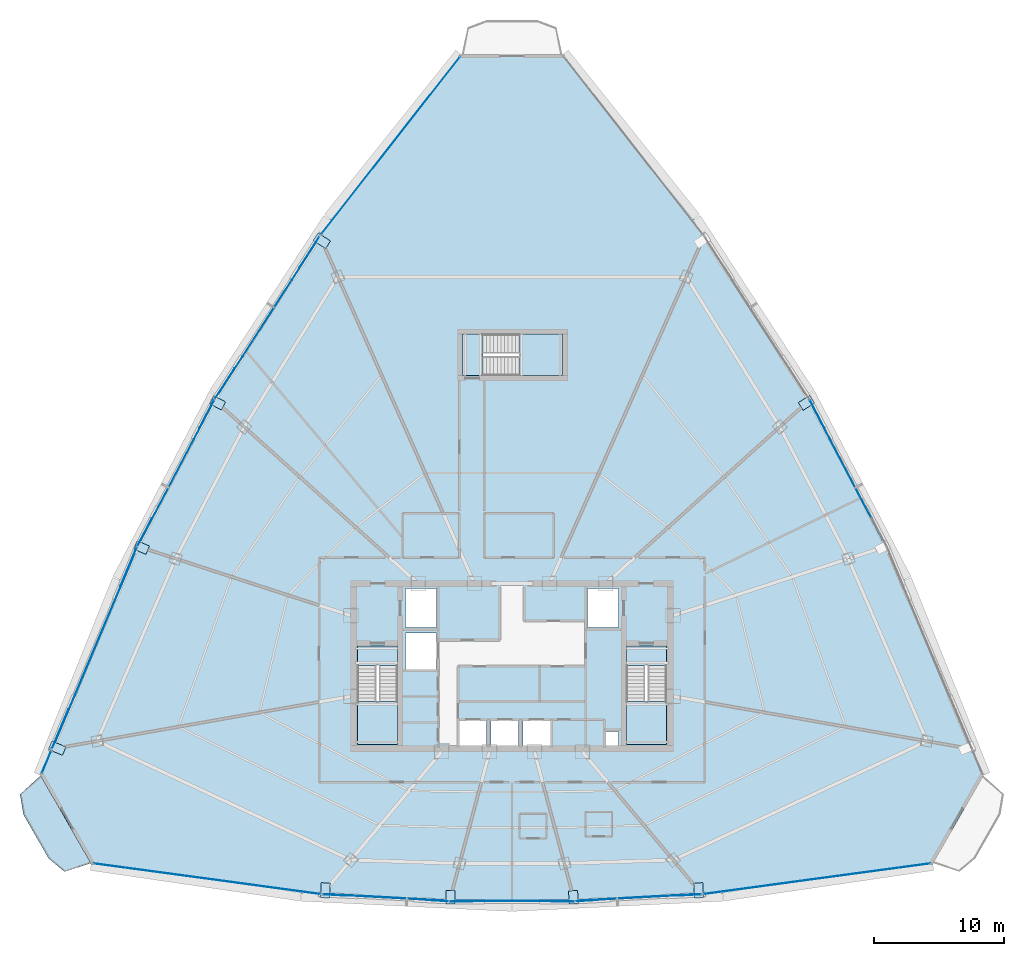
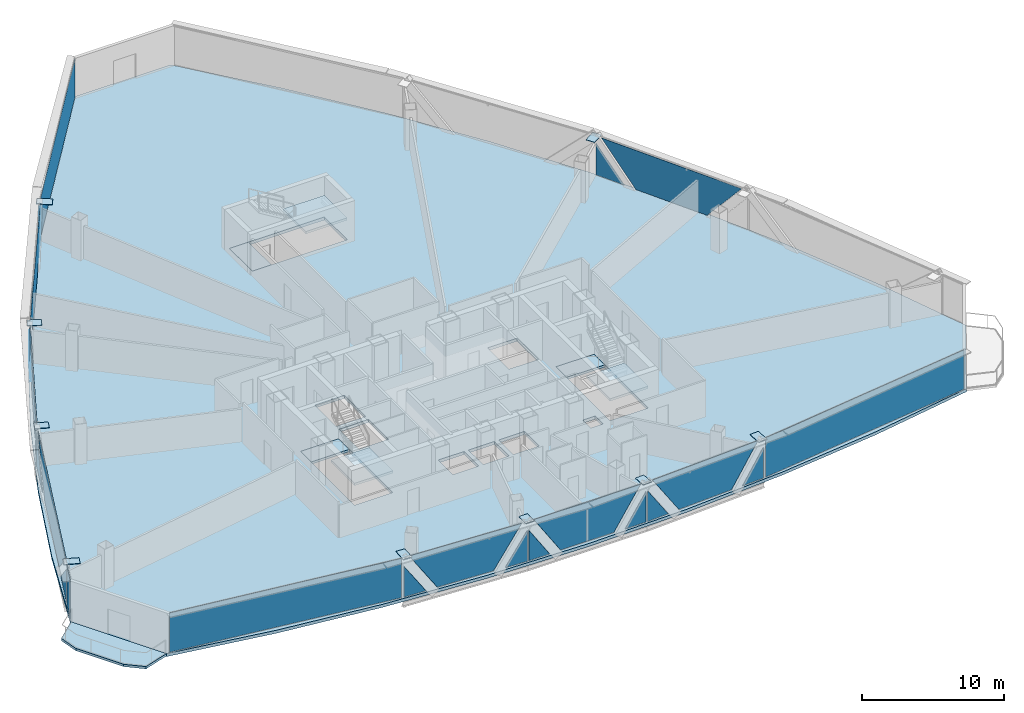
# One storey, part 26 of 35: 33 plates, 8 slabs, 14 elements without a shape of their own.
"""IFC4 building model written with IfcOpenShell, lengths in metres."""

from ifc_helpers import new_model, si_unit, direction, frame, origin, origin_2d, place, context, subcontext, project, spatial, polyline, rectangle, outline, extrude, source, transform, mapped, material, layer, layer_set, type_object, element, aggregate, save


model = new_model("IFC4")

# Units and contexts
model_context = context("Model", 3, precision=1e-05, world=origin(), true_north=direction((0.0, 1.0)))
body_context = subcontext(model_context, "Body", "Model", "MODEL_VIEW")
ifc_project = project(units=[si_unit("LENGTHUNIT", "METRE"), si_unit("AREAUNIT", "SQUARE_METRE"), si_unit("VOLUMEUNIT", "CUBIC_METRE"), si_unit("PLANEANGLEUNIT", "RADIAN"), si_unit("MASSUNIT", "GRAM", prefix="KILO"), si_unit("THERMODYNAMICTEMPERATUREUNIT", "KELVIN"), si_unit("POWERUNIT", "WATT")], contexts=[model_context])

# Site, building, storey
site_placement = place(None, origin())
site = spatial("IfcSite", under=ifc_project, at=site_placement, CompositionType="ELEMENT")
building_placement = place(site_placement, origin())
building = spatial("IfcBuilding", under=site, at=building_placement, Name="Yunzhuo Pagoda Commons", CompositionType="ELEMENT")
storey_placement = place(building_placement, frame((0.0, 0.0, 237.070068359375)))
storey = spatial("IfcBuildingStorey", under=building, at=storey_placement, Name="L59", CompositionType="ELEMENT", Elevation=237.070068359375)

# Curtain wall, plates
ifc_material_1 = material(Name="Anodized aluminium 6063-T6", Category="aluminium")
ifc_layer_1 = layer(ifc_material_1, 0.139892578125)
ifc_layer_set_1 = layer_set([ifc_layer_1], Name="Anodized aluminium 6063-T6")
curtain_wall_type = type_object("IfcCurtainWallType", Name="CW-HI High-Zone Ribbon Curtain Wall", PredefinedType="NOTDEFINED", material=ifc_layer_set_1)
curtain_wall_1_placement = place(storey_placement, origin())
curtain_wall_1 = element("IfcCurtainWall", 1, at=curtain_wall_1_placement, inside=storey, type_object=curtain_wall_type, Name="L59 curtain wall CW-L59-F1B2", PredefinedType="NOTDEFINED")
ifc_material_2 = material(Name="Tempered low-e double glazing", Category="glass")
ifc_layer_2 = layer(ifc_material_2, 0.02587890625)
ifc_layer_set_2 = layer_set([ifc_layer_2], Name="Tempered low-e double glazing")
plate_type_1 = type_object("IfcPlateType", Name="CW-HI-P Low-E Double Glazing 26", PredefinedType="CURTAIN_PANEL", material=ifc_layer_set_2)
plate_1_placement = place(storey_placement, frame((34.30322265625, 16.236328125, 1.371337890625), z_axis=(-0.054981193813, -0.998487390169, 0.0), x_axis=(0.998487390169, -0.054981193813, 0.0)))
plate_1 = element("IfcPlate", 2, at=plate_1_placement, type_object=plate_type_1, Name="CW panel 1.1 lite 1", PredefinedType="CURTAIN_PANEL", context=body_context, shape_type="SweptSolid", body=[
    extrude(outline(polyline([(-0.86669921875, -1.31640625), (0.86669921875, -1.31640625), (-0.86669921875, 1.31640625), (-0.86669921875, -1.31640625)])), origin(), (0.0, 0.0, 1.0), 0.028076171875),
])
plate_2_placement = place(storey_placement, frame((38.283935546875, 16.047119140625, 1.73486328125), z_axis=(-0.054981193813, -0.998487390169, 0.0), x_axis=(0.998487390169, -0.054981193813, 0.0)))
plate_2 = element("IfcPlate", 3, at=plate_2_placement, type_object=plate_type_1, Name="CW panel 1.1 lite 2", PredefinedType="CURTAIN_PANEL", context=body_context, shape_type="SweptSolid", body=[
    extrude(outline(polyline([(-4.42041015625, 1.679931640625), (-2.208251953125, -1.679931640625), (2.208251953125, -1.679931640625), (4.42041015625, 1.679931640625), (-4.42041015625, 1.679931640625)])), origin(), (0.0, 0.0, 1.0), 0.028076171875),
])
plate_3_placement = place(storey_placement, frame((42.26123046875, 15.798095703125, 1.371337890625), z_axis=(-0.054981193813, -0.998487390169, 0.0), x_axis=(0.998487390169, -0.054981193813, 0.0)))
plate_3 = element("IfcPlate", 4, at=plate_3_placement, type_object=plate_type_1, Name="CW panel 1.1 lite 3", PredefinedType="CURTAIN_PANEL", context=body_context, shape_type="SweptSolid", body=[
    extrude(outline(polyline([(-0.86669921875, -1.31640625), (0.86669921875, -1.31640625), (0.86669921875, 1.31640625), (-0.86669921875, -1.31640625)])), origin(), (0.0, 0.0, 1.0), 0.028076171875),
])
aggregate(curtain_wall_1, [plate_1, plate_2, plate_3])

curtain_wall_2_placement = place(storey_placement, origin())
curtain_wall_2 = element("IfcCurtainWall", 5, at=curtain_wall_2_placement, inside=storey, type_object=curtain_wall_type, Name="L59 curtain wall CW-L59-F1B3", PredefinedType="NOTDEFINED")
plate_4_placement = place(storey_placement, frame((44.091552734375, 15.74755859375, 1.365478515625), z_axis=(0.0, -1.0, 0.0), x_axis=(1.0, 0.0, 0.0)))
plate_4 = element("IfcPlate", 6, at=plate_4_placement, type_object=plate_type_1, Name="CW panel 1.1 lite 1", PredefinedType="CURTAIN_PANEL", context=body_context, shape_type="SweptSolid", body=[
    extrude(outline(polyline([(-0.845703125, -1.310546875), (0.845703125, -1.310546875), (-0.845703125, 1.310546875), (-0.845703125, -1.310546875)])), origin(), (0.0, 0.0, 1.0), 0.028076171875),
])
plate_5_placement = place(storey_placement, frame((48.0, 15.77734375, 1.73486328125), z_axis=(0.0, -1.0, 0.0), x_axis=(1.0, 0.0, 0.0)))
plate_5 = element("IfcPlate", 7, at=plate_5_placement, type_object=plate_type_1, Name="CW panel 1.1 lite 2", PredefinedType="CURTAIN_PANEL", context=body_context, shape_type="SweptSolid", body=[
    extrude(outline(polyline([(-4.326416015625, 1.679931640625), (-2.158203125, -1.679931640625), (2.158203125, -1.679931640625), (4.326416015625, 1.679931640625), (-4.326416015625, 1.679931640625)])), origin(), (0.0, 0.0, 1.0), 0.028076171875),
])
plate_6_placement = place(storey_placement, frame((51.908447265625, 15.74755859375, 1.365478515625), z_axis=(0.0, -1.0, 0.0), x_axis=(1.0, 0.0, 0.0)))
plate_6 = element("IfcPlate", 8, at=plate_6_placement, type_object=plate_type_1, Name="CW panel 1.1 lite 3", PredefinedType="CURTAIN_PANEL", context=body_context, shape_type="SweptSolid", body=[
    extrude(outline(polyline([(-0.845703125, -1.310546875), (0.845703125, -1.310546875), (0.845703125, 1.310546875), (-0.845703125, -1.310546875)])), origin(), (0.0, 0.0, 1.0), 0.028076171875),
])
aggregate(curtain_wall_2, [plate_4, plate_5, plate_6])

curtain_wall_3_placement = place(storey_placement, origin())
curtain_wall_3 = element("IfcCurtainWall", 9, at=curtain_wall_3_placement, inside=storey, type_object=curtain_wall_type, Name="L59 curtain wall CW-L59-F1B4", PredefinedType="NOTDEFINED")
plate_7_placement = place(storey_placement, frame((53.73876953125, 15.798095703125, 1.371337890625), z_axis=(0.054981193813, -0.998487390169, 0.0), x_axis=(0.998487390169, 0.054981193813, 0.0)))
plate_7 = element("IfcPlate", 10, at=plate_7_placement, type_object=plate_type_1, Name="CW panel 1.1 lite 1", PredefinedType="CURTAIN_PANEL", context=body_context, shape_type="SweptSolid", body=[
    extrude(outline(polyline([(-0.86669921875, -1.31640625), (0.86669921875, -1.31640625), (-0.86669921875, 1.31640625), (-0.86669921875, -1.31640625)])), origin(), (0.0, 0.0, 1.0), 0.028076171875),
])
plate_8_placement = place(storey_placement, frame((57.716064453125, 16.047119140625, 1.73486328125), z_axis=(0.054981193813, -0.998487390169, 0.0), x_axis=(0.998487390169, 0.054981193813, 0.0)))
plate_8 = element("IfcPlate", 11, at=plate_8_placement, type_object=plate_type_1, Name="CW panel 1.1 lite 2", PredefinedType="CURTAIN_PANEL", context=body_context, shape_type="SweptSolid", body=[
    extrude(outline(polyline([(-4.42041015625, 1.679931640625), (-2.208251953125, -1.679931640625), (2.208251953125, -1.679931640625), (4.42041015625, 1.679931640625), (-4.42041015625, 1.679931640625)])), origin(), (0.0, 0.0, 1.0), 0.028076171875),
])
plate_9_placement = place(storey_placement, frame((61.69677734375, 16.236328125, 1.371337890625), z_axis=(0.054981193813, -0.998487390169, 0.0), x_axis=(0.998487390169, 0.054981193813, 0.0)))
plate_9 = element("IfcPlate", 12, at=plate_9_placement, type_object=plate_type_1, Name="CW panel 1.1 lite 3", PredefinedType="CURTAIN_PANEL", context=body_context, shape_type="SweptSolid", body=[
    extrude(outline(polyline([(-0.86669921875, -1.31640625), (0.86669921875, -1.31640625), (0.86669921875, 1.31640625), (-0.86669921875, -1.31640625)])), origin(), (0.0, 0.0, 1.0), 0.028076171875),
])
aggregate(curtain_wall_3, [plate_7, plate_8, plate_9])

curtain_wall_4_placement = place(storey_placement, origin())
curtain_wall_4 = element("IfcCurtainWall", 13, at=curtain_wall_4_placement, inside=storey, type_object=curtain_wall_type, Name="L59 curtain wall CW-L59-F2B3", PredefinedType="NOTDEFINED")
plate_10_placement = place(storey_placement, frame((73.84375, 48.684814453125, 1.73486328125), z_axis=(0.885137797473, 0.465329001337, 0.0), x_axis=(-0.465329001337, 0.885137797473, 0.0)))
plate_10 = element("IfcPlate", 14, at=plate_10_placement, type_object=plate_type_1, Name="CW panel 1.1 lite 2", PredefinedType="CURTAIN_PANEL", context=body_context, shape_type="SweptSolid", body=[
    extrude(outline(polyline([(-5.81787109375, 1.679931640625), (-2.951416015625, -1.679931640625), (2.951416015625, -1.679931640625), (5.81787109375, 1.679931640625), (-5.81787109375, 1.679931640625)])), origin(), (0.0, 0.0, 1.0), 0.028076171875),
])
plate_11_placement = place(storey_placement, frame((71.484619140625, 53.237060546875, 1.4345703125), z_axis=(0.885137797473, 0.465329001337, 0.0), x_axis=(-0.465329001337, 0.885137797473, 0.0)))
plate_11 = element("IfcPlate", 15, at=plate_11_placement, type_object=plate_type_1, Name="CW panel 1.1 lite 3", PredefinedType="CURTAIN_PANEL", context=body_context, shape_type="SweptSolid", body=[
    extrude(outline(polyline([(-1.177001953125, -1.379638671875), (1.177001953125, -1.379638671875), (1.177001953125, 1.379638671875), (-1.177001953125, -1.379638671875)])), origin(), (0.0, 0.0, 1.0), 0.028076171875),
])
aggregate(curtain_wall_4, [plate_10, plate_11])

curtain_wall_5_placement = place(storey_placement, origin())
curtain_wall_5 = element("IfcCurtainWall", 16, at=curtain_wall_5_placement, inside=storey, type_object=curtain_wall_type, Name="L59 curtain wall CW-L59-F3B2", PredefinedType="NOTDEFINED")
plate_12_placement = place(storey_placement, frame((32.4091796875, 65.69873046875, 1.464599609375), z_axis=(-0.840807373352, 0.541334426133, 0.0), x_axis=(-0.541334426133, -0.840807373352, 0.0)))
plate_12 = element("IfcPlate", 17, at=plate_12_placement, type_object=plate_type_1, Name="CW panel 1.1 lite 1", PredefinedType="CURTAIN_PANEL", context=body_context, shape_type="SweptSolid", body=[
    extrude(outline(polyline([(-1.4169921875, -1.40966796875), (1.4169921875, -1.40966796875), (-1.4169921875, 1.40966796875), (-1.4169921875, -1.40966796875)])), origin(), (0.0, 0.0, 1.0), 0.028076171875),
])
plate_13_placement = place(storey_placement, frame((29.1748046875, 60.61962890625, 1.73486328125), z_axis=(-0.840807373352, 0.541334426133, 0.0), x_axis=(-0.541334426133, -0.840807373352, 0.0)))
plate_13 = element("IfcPlate", 18, at=plate_13_placement, type_object=plate_type_1, Name="CW panel 1.1 lite 2", PredefinedType="CURTAIN_PANEL", context=body_context, shape_type="SweptSolid", body=[
    extrude(outline(polyline([(-6.904296875, 1.679931640625), (-3.527099609375, -1.679931640625), (3.527099609375, -1.679931640625), (6.904296875, 1.679931640625), (-6.904296875, 1.679931640625)])), origin(), (0.0, 0.0, 1.0), 0.028076171875),
])
plate_14_placement = place(storey_placement, frame((25.889892578125, 55.57275390625, 1.464599609375), z_axis=(-0.840807373352, 0.541334426133, 0.0), x_axis=(-0.541334426133, -0.840807373352, 0.0)))
plate_14 = element("IfcPlate", 19, at=plate_14_placement, type_object=plate_type_1, Name="CW panel 1.1 lite 3", PredefinedType="CURTAIN_PANEL", context=body_context, shape_type="SweptSolid", body=[
    extrude(outline(polyline([(-1.4169921875, -1.40966796875), (1.4169921875, -1.40966796875), (1.4169921875, 1.40966796875), (-1.4169921875, -1.40966796875)])), origin(), (0.0, 0.0, 1.0), 0.028076171875),
])
aggregate(curtain_wall_5, [plate_12, plate_13, plate_14])

curtain_wall_6_placement = place(storey_placement, origin())
curtain_wall_6 = element("IfcCurtainWall", 20, at=curtain_wall_6_placement, inside=storey, type_object=curtain_wall_type, Name="L59 curtain wall CW-L59-F3B3", PredefinedType="NOTDEFINED")
plate_15_placement = place(storey_placement, frame((24.515380859375, 53.237060546875, 1.4345703125), z_axis=(-0.885137797473, 0.465329001337, 0.0), x_axis=(-0.465329001337, -0.885137797473, 0.0)))
plate_15 = element("IfcPlate", 21, at=plate_15_placement, type_object=plate_type_1, Name="CW panel 1.1 lite 1", PredefinedType="CURTAIN_PANEL", context=body_context, shape_type="SweptSolid", body=[
    extrude(outline(polyline([(-1.177001953125, -1.379638671875), (1.177001953125, -1.379638671875), (-1.177001953125, 1.379638671875), (-1.177001953125, -1.379638671875)])), origin(), (0.0, 0.0, 1.0), 0.028076171875),
])
plate_16_placement = place(storey_placement, frame((22.15625, 48.684814453125, 1.73486328125), z_axis=(-0.885137797473, 0.465329001337, 0.0), x_axis=(-0.465329001337, -0.885137797473, 0.0)))
plate_16 = element("IfcPlate", 22, at=plate_16_placement, type_object=plate_type_1, Name="CW panel 1.1 lite 2", PredefinedType="CURTAIN_PANEL", context=body_context, shape_type="SweptSolid", body=[
    extrude(outline(polyline([(-5.81787109375, 1.679931640625), (-2.951416015625, -1.679931640625), (2.951416015625, -1.679931640625), (5.81787109375, 1.679931640625), (-5.81787109375, 1.679931640625)])), origin(), (0.0, 0.0, 1.0), 0.028076171875),
])
plate_17_placement = place(storey_placement, frame((19.74365234375, 44.160400390625, 1.4345703125), z_axis=(-0.885137797473, 0.465329001337, 0.0), x_axis=(-0.465329001337, -0.885137797473, 0.0)))
plate_17 = element("IfcPlate", 23, at=plate_17_placement, type_object=plate_type_1, Name="CW panel 1.1 lite 3", PredefinedType="CURTAIN_PANEL", context=body_context, shape_type="SweptSolid", body=[
    extrude(outline(polyline([(-1.177001953125, -1.379638671875), (1.177001953125, -1.379638671875), (1.177001953125, 1.379638671875), (-1.177001953125, -1.379638671875)])), origin(), (0.0, 0.0, 1.0), 0.028076171875),
])
aggregate(curtain_wall_6, [plate_15, plate_16, plate_17])

curtain_wall_7_placement = place(storey_placement, origin())
curtain_wall_7 = element("IfcCurtainWall", 24, at=curtain_wall_7_placement, inside=storey, type_object=curtain_wall_type, Name="L59 curtain wall CW-L59-F3B4", PredefinedType="NOTDEFINED")
plate_18_placement = place(storey_placement, frame((18.515625, 41.516845703125, 1.48291015625), z_axis=(-0.92158893956, 0.388167266112, 0.0), x_axis=(-0.388167266112, -0.92158893956, 0.0)))
plate_18 = element("IfcPlate", 25, at=plate_18_placement, type_object=plate_type_1, Name="CW panel 1.1 lite 1", PredefinedType="CURTAIN_PANEL", context=body_context, shape_type="SweptSolid", body=[
    extrude(outline(polyline([(-1.621826171875, -1.427978515625), (1.621826171875, -1.427978515625), (-1.621826171875, 1.427978515625), (-1.621826171875, -1.427978515625)])), origin(), (0.0, 0.0, 1.0), 0.028076171875),
])
plate_19_placement = place(storey_placement, frame((15.9072265625, 35.24609375, 1.73486328125), z_axis=(-0.92158893956, 0.388167266112, 0.0), x_axis=(-0.388167266112, -0.92158893956, 0.0)))
plate_19 = element("IfcPlate", 26, at=plate_19_placement, type_object=plate_type_1, Name="CW panel 1.1 lite 2", PredefinedType="CURTAIN_PANEL", context=body_context, shape_type="SweptSolid", body=[
    extrude(outline(polyline([(-7.8359375, 1.679931640625), (-4.01953125, -1.679931640625), (4.01953125, -1.679931640625), (7.8359375, 1.679931640625), (-7.8359375, 1.679931640625)])), origin(), (0.0, 0.0, 1.0), 0.028076171875),
])
plate_20_placement = place(storey_placement, frame((13.243408203125, 28.998779296875, 1.48291015625), z_axis=(-0.92158893956, 0.388167266112, 0.0), x_axis=(-0.388167266112, -0.92158893956, 0.0)))
plate_20 = element("IfcPlate", 27, at=plate_20_placement, type_object=plate_type_1, Name="CW panel 1.1 lite 3", PredefinedType="CURTAIN_PANEL", context=body_context, shape_type="SweptSolid", body=[
    extrude(outline(polyline([(-1.621826171875, -1.427978515625), (1.621826171875, -1.427978515625), (1.621826171875, 1.427978515625), (-1.621826171875, -1.427978515625)])), origin(), (0.0, 0.0, 1.0), 0.028076171875),
])
aggregate(curtain_wall_7, [plate_18, plate_19, plate_20])

# Slab
ifc_material_3 = material(Name="Concrete C40", Category="concrete")
ifc_layer_3 = layer(ifc_material_3, 0.199951171875)
ifc_layer_set_3 = layer_set([ifc_layer_3], Name="Concrete C40")
slab_type_1 = type_object("IfcSlabType", Name="SL-BAL Vertex Balcony Deck Slab 200", PredefinedType="FLOOR", material=ifc_layer_set_3)
slab_1_placement = place(storey_placement, frame((0.0, 0.0, -0.199951171875)))
element("IfcSlab", 28, at=slab_1_placement, inside=storey, type_object=slab_type_1, Name="L59 corner balcony V1", PredefinedType="FLOOR", context=body_context, shape_type="SweptSolid", body=[
    extrude(outline(polyline([(11.717529296875, 25.412109375), (15.588134765625, 18.67041015625), (13.54736328125, 18.017578125), (12.32666015625, 19.038818359375), (10.391357421875, 22.40966796875), (10.124755859375, 23.978515625), (11.717529296875, 25.412109375)])), origin(), (0.0, 0.0, 1.0), 0.199951171875),
])

# Stair, slabs
stair_type_1 = type_object("IfcStairType", Name="ST-C1 Core Smokeproof Stair ST1", PredefinedType="HALF_TURN_STAIR", material=ifc_material_3)
stair_1_placement = place(storey_placement, origin())
stair_1 = element("IfcStair", 29, at=stair_1_placement, inside=storey, type_object=stair_type_1, Name="L59 Core smokeproof stair ST1", PredefinedType="HALF_TURN_STAIR")
ifc_layer_4 = layer(ifc_material_3, 0.199951171875)
ifc_layer_set_4 = layer_set([ifc_layer_4], Name="Concrete C40")
slab_type_2 = type_object("IfcSlabType", Name="SL-LND1 Stair Landing Slab 200", PredefinedType="LANDING", material=ifc_layer_set_4)
slab_2_placement = place(storey_placement, frame((0.0, 0.0, 1.6650390625)))
slab_2 = element("IfcSlab", 30, at=slab_2_placement, type_object=slab_type_2, Name="ST1 landing 1", PredefinedType="LANDING", context=body_context, shape_type="SweptSolid", body=[
    extrude(outline(polyline([(36.10009765625, 31.10009765625), (36.10009765625, 27.800048828125), (39.199951171875, 27.800048828125), (39.199951171875, 31.10009765625), (36.10009765625, 31.10009765625)])), origin(), (0.0, 0.0, 1.0), 0.199951171875),
])
slab_3_placement = place(storey_placement, frame((0.0, 0.0, -0.199951171875)))
slab_3 = element("IfcSlab", 31, at=slab_3_placement, type_object=slab_type_2, Name="ST1 floor landing L59", PredefinedType="LANDING", context=body_context, shape_type="SweptSolid", body=[
    extrude(outline(polyline([(36.10009765625, 35.39990234375), (36.10009765625, 33.89990234375), (39.199951171875, 33.89990234375), (39.199951171875, 35.39990234375), (36.10009765625, 35.39990234375)])), origin(), (0.0, 0.0, 1.0), 0.199951171875),
])
aggregate(stair_1, [slab_2, slab_3])

stair_type_2 = type_object("IfcStairType", Name="ST-C2 Core Smokeproof Stair ST2", PredefinedType="HALF_TURN_STAIR", material=ifc_material_3)
stair_2_placement = place(storey_placement, origin())
stair_2 = element("IfcStair", 32, at=stair_2_placement, inside=storey, type_object=stair_type_2, Name="L59 Core smokeproof stair ST2", PredefinedType="HALF_TURN_STAIR")
ifc_layer_5 = layer(ifc_material_3, 0.201904296875)
ifc_layer_set_5 = layer_set([ifc_layer_5], Name="Concrete C40")
slab_type_3 = type_object("IfcSlabType", Name="SL-LND2 Stair Landing Slab 202", PredefinedType="LANDING", material=ifc_layer_set_5)
slab_4_placement = place(storey_placement, frame((0.0, 0.0, 1.6650390625)))
slab_4 = element("IfcSlab", 33, at=slab_4_placement, type_object=slab_type_3, Name="ST2 landing 1", PredefinedType="LANDING", context=body_context, shape_type="SweptSolid", body=[
    extrude(outline(polyline([(56.800048828125, 31.10009765625), (56.800048828125, 27.800048828125), (59.89990234375, 27.800048828125), (59.89990234375, 31.10009765625), (56.800048828125, 31.10009765625)])), origin(), (0.0, 0.0, 1.0), 0.199951171875),
])
slab_5_placement = place(storey_placement, frame((0.0, 0.0, -0.199951171875)))
slab_5 = element("IfcSlab", 34, at=slab_5_placement, type_object=slab_type_3, Name="ST2 floor landing L59", PredefinedType="LANDING", context=body_context, shape_type="SweptSolid", body=[
    extrude(outline(polyline([(56.800048828125, 35.39990234375), (56.800048828125, 33.89990234375), (59.89990234375, 33.89990234375), (59.89990234375, 35.39990234375), (56.800048828125, 35.39990234375)])), origin(), (0.0, 0.0, 1.0), 0.199951171875),
])
aggregate(stair_2, [slab_4, slab_5])

stair_type_3 = type_object("IfcStairType", Name="ST-C3 North Tower Smokeproof Stair ST3", PredefinedType="HALF_TURN_STAIR", material=ifc_material_3)
stair_3_placement = place(storey_placement, origin())
stair_3 = element("IfcStair", 35, at=stair_3_placement, inside=storey, type_object=stair_type_3, Name="L59 North tower smokeproof stair ST3", PredefinedType="HALF_TURN_STAIR")
ifc_layer_6 = layer(ifc_material_3, 0.2041015625)
ifc_layer_set_6 = layer_set([ifc_layer_6], Name="Concrete C40")
slab_type_4 = type_object("IfcSlabType", Name="SL-LND5 North Landing Slab 204", PredefinedType="LANDING", material=ifc_layer_set_6)
slab_6_placement = place(storey_placement, frame((0.0, 0.0, 1.6650390625)))
slab_6 = element("IfcSlab", 36, at=slab_6_placement, type_object=slab_type_4, Name="ST3 landing 1", PredefinedType="LANDING", context=body_context, shape_type="SweptSolid", body=[
    extrude(outline(polyline([(48.550048828125, 56.199951171875), (51.89990234375, 56.199951171875), (51.89990234375, 59.39990234375), (48.550048828125, 59.39990234375), (48.550048828125, 56.199951171875)])), origin(), (0.0, 0.0, 1.0), 0.199951171875),
])
slab_7_placement = place(storey_placement, frame((0.0, 0.0, -0.199951171875)))
slab_7 = element("IfcSlab", 37, at=slab_7_placement, type_object=slab_type_4, Name="ST3 floor landing L59", PredefinedType="LANDING", context=body_context, shape_type="SweptSolid", body=[
    extrude(outline(polyline([(44.199951171875, 56.199951171875), (45.75, 56.199951171875), (45.75, 59.39990234375), (44.199951171875, 59.39990234375), (44.199951171875, 56.199951171875)])), origin(), (0.0, 0.0, 1.0), 0.199951171875),
])
aggregate(stair_3, [slab_6, slab_7])

# Slab
ifc_layer_7 = layer(ifc_material_3, 0.260009765625)
ifc_layer_set_7 = layer_set([ifc_layer_7], Name="Concrete C40")
slab_type_5 = type_object("IfcSlabType", Name="SL-TWR Typical Tower Floor Slab 260", PredefinedType="FLOOR", material=ifc_layer_set_7)
slab_8_placement = place(storey_placement, frame((0.0, 0.0, -0.260009765625)))
element("IfcSlab", 38, at=slab_8_placement, inside=storey, type_object=slab_type_5, Name="L59 structural floor slab", PredefinedType="FLOOR", context=body_context, shape_type="SweptSolid", body=[
    extrude(outline(polyline([(14.5810546875, 33.0498046875), (17.78076171875, 40.486328125), (21.32080078125, 47.72412109375), (25.20166015625, 54.76318359375), (29.4228515625, 61.603515625), (33.984375, 68.2451171875), (38.88671875, 74.68798828125), (44.129150390625, 80.931884765625), (51.870849609375, 80.931884765625), (57.11328125, 74.68798828125), (62.015625, 68.2451171875), (66.5771484375, 61.603515625), (70.79833984375, 54.76318359375), (74.67919921875, 47.72412109375), (78.21923828125, 40.486328125), (81.4189453125, 33.0498046875), (84.2783203125, 25.41455078125), (80.407470703125, 18.673095703125), (72.3056640625, 17.293212890625), (64.20361328125, 16.3076171875), (56.101806640625, 15.716064453125), (48.0, 15.51904296875), (39.898193359375, 15.716064453125), (31.79638671875, 16.3076171875), (23.6943359375, 17.293212890625), (15.592529296875, 18.673095703125), (11.7216796875, 25.41455078125), (14.5810546875, 33.0498046875)]), holes=[polyline([(56.179931640625, 28.800048828125), (55.179931640625, 28.800048828125), (55.179931640625, 27.699951171875), (56.179931640625, 27.699951171875), (56.179931640625, 28.800048828125)]), polyline([(46.050048828125, 29.64990234375), (43.949951171875, 29.64990234375), (43.949951171875, 27.60009765625), (46.050048828125, 27.60009765625), (46.050048828125, 29.64990234375)]), polyline([(48.5, 29.64990234375), (46.39990234375, 29.64990234375), (46.39990234375, 27.60009765625), (48.5, 27.60009765625), (48.5, 29.64990234375)]), polyline([(50.949951171875, 27.60009765625), (50.949951171875, 29.64990234375), (48.85009765625, 29.64990234375), (48.85009765625, 27.60009765625), (50.949951171875, 27.60009765625)]), polyline([(36.10009765625, 27.800048828125), (39.199951171875, 27.800048828125), (39.199951171875, 35.39990234375), (36.10009765625, 35.39990234375), (36.10009765625, 27.800048828125)]), polyline([(59.89990234375, 27.800048828125), (59.89990234375, 35.39990234375), (56.800048828125, 35.39990234375), (56.800048828125, 27.800048828125), (59.89990234375, 27.800048828125)]), polyline([(42.199951171875, 36.39990234375), (39.800048828125, 36.39990234375), (39.800048828125, 33.60009765625), (42.199951171875, 33.60009765625), (42.199951171875, 36.39990234375)]), polyline([(42.199951171875, 39.800048828125), (39.800048828125, 39.800048828125), (39.800048828125, 36.800048828125), (42.199951171875, 36.800048828125), (42.199951171875, 39.800048828125)]), polyline([(56.199951171875, 36.800048828125), (56.199951171875, 39.800048828125), (53.800048828125, 39.800048828125), (53.800048828125, 36.800048828125), (56.199951171875, 36.800048828125)]), polyline([(51.89990234375, 56.199951171875), (51.89990234375, 59.39990234375), (44.199951171875, 59.39990234375), (44.199951171875, 56.199951171875), (51.89990234375, 56.199951171875)])]), origin(), (0.0, 0.0, 1.0), 0.260009765625),
])

# Plates
ifc_material_4 = material(Name="Structural steel Q355B", Category="steel")
ifc_layer_8 = layer(ifc_material_4, 0.028076171875)
ifc_layer_set_8 = layer_set([ifc_layer_8], Name="Structural steel Q355B")
plate_type_2 = type_object("IfcPlateType", Name="SP-ND1 Lattice Node Cap Plate 800x500x28", PredefinedType="USERDEFINED", material=ifc_layer_set_8)
shared_shape_1 = source(origin(), body_context, "Body", "SweptSolid", [
    extrude(rectangle(XDim=0.699951171875, YDim=1.148681640625, at=origin_2d()), origin(), (0.0, 0.0, 1.0), 0.035888671875),
])
for number, where, z_axis, x_axis, name in (
    (39, (33.634033203125, 16.579345703125, 3.43212890625), (0.0, 0.0, 1.0), (0.998487178719, -0.054985033724, 0.0), "L59 setback lattice tie plate F1.1L"),
    (40, (62.365966796875, 16.579345703125, 3.43212890625), (0.0, 0.0, 1.0), (0.998487178719, 0.054985033724, 0.0), "L59 setback lattice tie plate F1.3R"),
):
    element("IfcPlate", number, at=place(storey_placement, frame(where, z_axis=z_axis, x_axis=x_axis)), inside=storey, type_object=plate_type_2, Name=name, ObjectType="STIFFENER_PLATE", PredefinedType="USERDEFINED", context=body_context, shape_type="MappedRepresentation", body=[
        mapped(shared_shape_1, transform((0.0, 0.0, 0.0), scale=1.0)),
    ])
shared_shape_2 = source(origin(), body_context, "Body", "SweptSolid", [
    extrude(rectangle(XDim=0.699951171875, YDim=1.0078125, at=origin_2d()), origin(), (0.0, 0.0, 1.0), 0.035888671875),
])
for number, where, z_axis, x_axis, name in (
    (41, (43.27099609375, 16.051025390625, 3.43212890625), (0.0, 0.0, 1.0), (1.0, 0.0, 0.0), "L59 setback lattice tie plate F1.2L"),
    (42, (52.72900390625, 16.051025390625, 3.43212890625), (0.0, 0.0, 1.0), (0.998487178719, 0.054985033724, 0.0), "L59 setback lattice tie plate F1.3L"),
):
    element("IfcPlate", number, at=place(storey_placement, frame(where, z_axis=z_axis, x_axis=x_axis)), inside=storey, type_object=plate_type_2, Name=name, ObjectType="STIFFENER_PLATE", PredefinedType="USERDEFINED", context=body_context, shape_type="MappedRepresentation", body=[
        mapped(shared_shape_2, transform((0.0, 0.0, 0.0), scale=1.0)),
    ])
shared_shape_3 = source(origin(), body_context, "Body", "SweptSolid", [
    extrude(rectangle(XDim=0.699951171875, YDim=1.1806640625, at=origin_2d()), origin(), (0.0, 0.0, 1.0), 0.035888671875),
])
plate_21_placement = place(storey_placement, frame((12.986572265625, 27.526123046875, 3.43212890625), z_axis=(0.0, 0.0, 1.0), x_axis=(-0.388175158617, -0.921585615248, 0.0)))
element("IfcPlate", 43, at=plate_21_placement, inside=storey, type_object=plate_type_2, Name="L59 setback lattice tie plate F3.3R", ObjectType="STIFFENER_PLATE", PredefinedType="USERDEFINED", context=body_context, shape_type="MappedRepresentation", body=[
    mapped(shared_shape_3, transform((0.0, 0.0, 0.0), scale=1.0)),
])
shared_shape_4 = source(origin(), body_context, "Body", "SweptSolid", [
    extrude(rectangle(XDim=0.699951171875, YDim=1.032470703125, at=origin_2d()), origin(), (0.0, 0.0, 1.0), 0.035888671875),
])
plate_22_placement = place(storey_placement, frame((19.480224609375, 42.966796875, 3.43212890625), z_axis=(0.0, 0.0, 1.0), x_axis=(-0.388175158617, -0.921585615248, 0.0)))
element("IfcPlate", 44, at=plate_22_placement, inside=storey, type_object=plate_type_2, Name="L59 setback lattice tie plate F3.3L", ObjectType="STIFFENER_PLATE", PredefinedType="USERDEFINED", context=body_context, shape_type="MappedRepresentation", body=[
    mapped(shared_shape_4, transform((0.0, 0.0, 0.0), scale=1.0)),
])
shared_shape_5 = source(origin(), body_context, "Body", "SweptSolid", [
    extrude(rectangle(XDim=0.699951171875, YDim=1.144287109375, at=origin_2d()), origin(), (0.0, 0.0, 1.0), 0.035888671875),
])
plate_23_placement = place(storey_placement, frame((33.358642578125, 66.585205078125, 3.43212890625), z_axis=(0.0, 0.0, 1.0), x_axis=(-0.541341392357, -0.840802888269, 0.0)))
element("IfcPlate", 45, at=plate_23_placement, inside=storey, type_object=plate_type_2, Name="L59 setback lattice tie plate F3.1L", ObjectType="STIFFENER_PLATE", PredefinedType="USERDEFINED", context=body_context, shape_type="MappedRepresentation", body=[
    mapped(shared_shape_5, transform((0.0, 0.0, 0.0), scale=1.0)),
])
shared_shape_6 = source(origin(), body_context, "Body", "SweptSolid", [
    extrude(rectangle(XDim=0.699951171875, YDim=1.035888671875, at=origin_2d()), origin(), (0.0, 0.0, 1.0), 0.035888671875),
])
for number, where, z_axis, x_axis, name in (
    (46, (70.66650390625, 54.109130859375, 3.43212890625), (0.0, 0.0, 1.0), (-0.541341392357, 0.840802888269, 0.0), "L59 setback lattice tie plate F2.3L"),
    (47, (25.33349609375, 54.109130859375, 3.43212890625), (0.0, 0.0, 1.0), (-0.465336470286, -0.885133870904, 0.0), "L59 setback lattice tie plate F3.2L"),
):
    element("IfcPlate", number, at=place(storey_placement, frame(where, z_axis=z_axis, x_axis=x_axis)), inside=storey, type_object=plate_type_2, Name=name, ObjectType="STIFFENER_PLATE", PredefinedType="USERDEFINED", context=body_context, shape_type="MappedRepresentation", body=[
        mapped(shared_shape_6, transform((0.0, 0.0, 0.0), scale=1.0)),
    ])

# Curtain wall, plate
curtain_wall_8_placement = place(storey_placement, origin())
curtain_wall_8 = element("IfcCurtainWall", 48, at=curtain_wall_8_placement, inside=storey, type_object=curtain_wall_type, Name="L59 curtain wall CW-L59-F1B1", PredefinedType="NOTDEFINED")
shared_shape_7 = source(origin(), body_context, "Body", "SweptSolid", [
    extrude(rectangle(XDim=17.590087890625, YDim=0.028076171875, at=origin_2d()), origin(), (0.0, 0.0, 1.0), 3.360107421875),
])
plate_24_placement = place(storey_placement, frame((24.52783203125, 17.46923828125, 0.0546875), z_axis=(0.0, 0.0, 1.0), x_axis=(0.990990850616, -0.133929585963, 0.0)))
plate_24 = element("IfcPlate", 49, at=plate_24_placement, type_object=plate_type_1, Name="CW panel 1.1", PredefinedType="CURTAIN_PANEL", context=body_context, shape_type="MappedRepresentation", body=[
    mapped(shared_shape_7, transform((0.0, 0.0, 0.0), scale=1.0)),
])
aggregate(curtain_wall_8, [plate_24])

curtain_wall_9_placement = place(storey_placement, origin())
curtain_wall_9 = element("IfcCurtainWall", 50, at=curtain_wall_9_placement, inside=storey, type_object=curtain_wall_type, Name="L59 curtain wall CW-L59-F1B5", PredefinedType="NOTDEFINED")
plate_25_placement = place(storey_placement, frame((71.47216796875, 17.46923828125, 0.0546875), z_axis=(0.0, 0.0, 1.0), x_axis=(0.990990850616, 0.133929585963, 0.0)))
plate_25 = element("IfcPlate", 51, at=plate_25_placement, type_object=plate_type_1, Name="CW panel 1.1", PredefinedType="CURTAIN_PANEL", context=body_context, shape_type="MappedRepresentation", body=[
    mapped(shared_shape_7, transform((0.0, 0.0, 0.0), scale=1.0)),
])
aggregate(curtain_wall_9, [plate_25])

curtain_wall_10_placement = place(storey_placement, origin())
curtain_wall_10 = element("IfcCurtainWall", 52, at=curtain_wall_10_placement, inside=storey, type_object=curtain_wall_type, Name="L59 curtain wall CW-L59-F3B5", PredefinedType="NOTDEFINED")
shared_shape_8 = source(origin(), body_context, "Body", "SweptSolid", [
    extrude(rectangle(XDim=1.85595703125, YDim=0.028076171875, at=origin_2d()), origin(), (0.0, 0.0, 1.0), 3.360107421875),
])
plate_26_placement = place(storey_placement, frame((12.16796875, 26.47314453125, 0.0546875), z_axis=(0.0, 0.0, 1.0), x_axis=(-0.385344767667, -0.922772675165, 0.0)))
plate_26 = element("IfcPlate", 53, at=plate_26_placement, type_object=plate_type_1, Name="CW panel 1.1", PredefinedType="CURTAIN_PANEL", context=body_context, shape_type="MappedRepresentation", body=[
    mapped(shared_shape_8, transform((0.0, 0.0, 0.0), scale=1.0)),
])
aggregate(curtain_wall_10, [plate_26])

curtain_wall_11_placement = place(storey_placement, origin())
curtain_wall_11 = element("IfcCurtainWall", 54, at=curtain_wall_11_placement, inside=storey, type_object=curtain_wall_type, Name="L59 curtain wall CW-L59-F3B1", PredefinedType="NOTDEFINED")
shared_shape_9 = source(origin(), body_context, "Body", "SweptSolid", [
    extrude(rectangle(XDim=17.39404296875, YDim=0.028076171875, at=origin_2d()), origin(), (0.0, 0.0, 1.0), 3.360107421875),
])
plate_27_placement = place(storey_placement, frame((38.638671875, 73.904541015625, 0.0546875), z_axis=(0.0, 0.0, 1.0), x_axis=(-0.616136433127, -0.787639445288, 0.0)))
plate_27 = element("IfcPlate", 55, at=plate_27_placement, type_object=plate_type_1, Name="CW panel 1.1", PredefinedType="CURTAIN_PANEL", context=body_context, shape_type="MappedRepresentation", body=[
    mapped(shared_shape_9, transform((0.0, 0.0, 0.0), scale=1.0)),
])
aggregate(curtain_wall_11, [plate_27])

save(model, "model.ifc")
